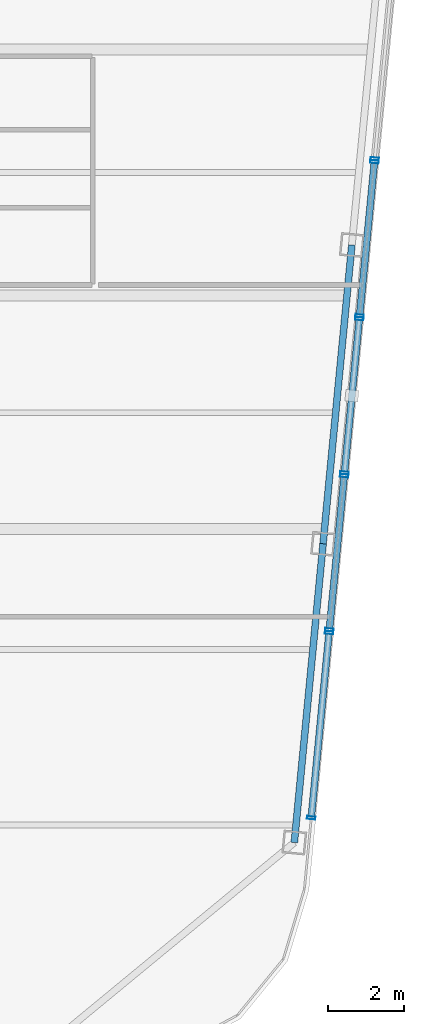
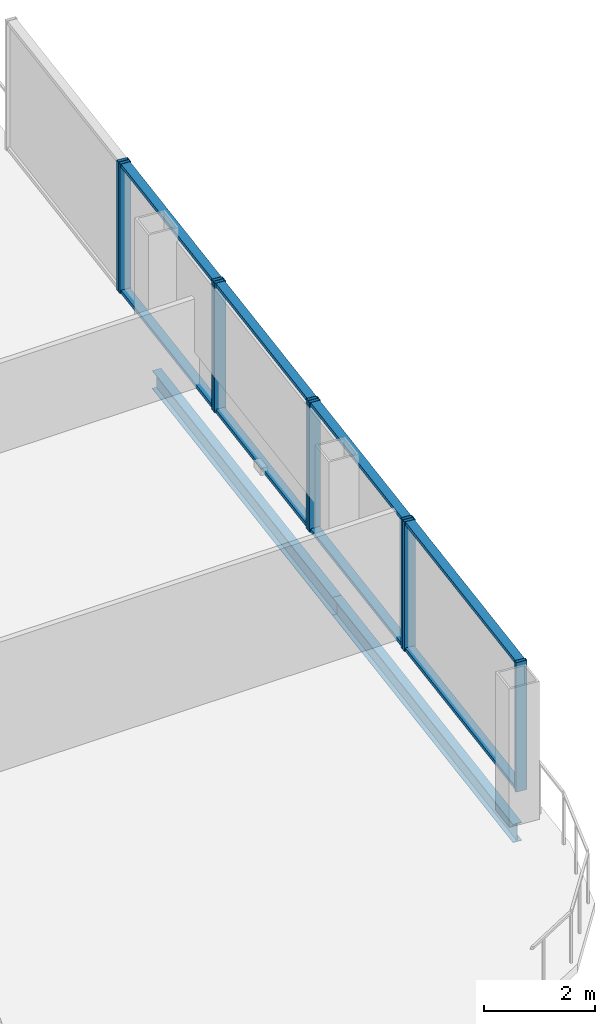
# One storey, part 11 of 22: 17 members, 2 beams, 5 elements without a shape of their own.
"""IFC4 building model written with IfcOpenShell, lengths in metres."""

from ifc_helpers import new_model, si_unit, direction, frame, origin, origin_2d, place, context, subcontext, project, spatial, hollow_rectangle, i_section, extrude, material, layer, layer_set, material_profile, profile_set, type_object, element, aggregate, save


model = new_model("IFC4")

# Units and contexts
model_context = context("Model", 3, precision=1e-05, world=origin(), true_north=direction((0.0, 1.0)))
body_context = subcontext(model_context, "Body", "Model", "MODEL_VIEW")
ifc_project = project(units=[si_unit("LENGTHUNIT", "METRE"), si_unit("AREAUNIT", "SQUARE_METRE"), si_unit("VOLUMEUNIT", "CUBIC_METRE"), si_unit("PLANEANGLEUNIT", "RADIAN"), si_unit("MASSUNIT", "GRAM", prefix="KILO")], contexts=[model_context])

# Site, building, storey
site_placement = place(None, origin())
site = spatial("IfcSite", under=ifc_project, at=site_placement, CompositionType="ELEMENT")
building_placement = place(site_placement, origin())
building = spatial("IfcBuilding", under=site, at=building_placement, Name="Qhalaya Broadcast Tower", CompositionType="ELEMENT")
storey_placement = place(building_placement, frame((0.0, 0.0, 252.0)))
storey = spatial("IfcBuildingStorey", under=building, at=storey_placement, Name="L74", CompositionType="ELEMENT", Elevation=252.0)

# Curtain wall, members
ifc_material_1 = material(Name="Fired Architectural Terracotta", Category="masonry")
ifc_layer_1 = layer(ifc_material_1, 0.219970703125, Name="Fired Architectural Terracotta")
ifc_layer_set_1 = layer_set([ifc_layer_1], Name="Fired Architectural Terracotta")
curtain_wall_type_1 = type_object("IfcCurtainWallType", Name="Block-Cap Unitised Terracotta Spandrel Wall CW-07", PredefinedType="NOTDEFINED", material=ifc_layer_set_1)
curtain_wall_1_placement = place(storey_placement, origin())
curtain_wall_1 = element("IfcCurtainWall", 1, at=curtain_wall_1_placement, inside=storey, type_object=curtain_wall_type_1, Name="L74 Unitised Curtain Wall L74-CW-E1", PredefinedType="NOTDEFINED")
ifc_material_2 = material(Name="Anodised Aluminium 6063-T6", Category="aluminium")
ifc_material_profile_1 = material_profile(ifc_material_2, hollow_rectangle(XDim=0.074951171875, YDim=0.219970703125, WallThickness=0.00390625, at=origin_2d()), Name="ALU-MUL 75x220x4")
ifc_profile_set_1 = profile_set([ifc_material_profile_1], Name="Anodised Aluminium 6063-T6")
member_type_1 = type_object("IfcMemberType", Name="Unitised Curtain-Wall Mullion M01", PredefinedType="MULLION", material=ifc_profile_set_1)
member_1_placement = place(storey_placement, frame((20.272705078125, -16.315185546875, 0.0), z_axis=(0.0, 0.0, 1.0), x_axis=(0.095840154905, 0.99539673734, 0.0)))
member_1 = element("IfcMember", 2, at=member_1_placement, type_object=member_type_1, Name="CW-07 mullion 1", PredefinedType="MULLION", context=body_context, shape_type="SweptSolid", body=[
    extrude(hollow_rectangle(XDim=0.074951171875, YDim=0.219970703125, WallThickness=0.00390625, at=origin_2d()), origin(), (0.0, 0.0, 1.0), 2.860107421875),
])
member_2_placement = place(storey_placement, frame((20.739990234375, -11.46044921875, 0.0), z_axis=(0.0, 0.0, 1.0), x_axis=(0.095840154905, 0.99539673734, 0.0)))
member_2 = element("IfcMember", 3, at=member_2_placement, type_object=member_type_1, Name="CW-07 mullion 2", PredefinedType="MULLION", context=body_context, shape_type="SweptSolid", body=[
    extrude(hollow_rectangle(XDim=0.074951171875, YDim=0.219970703125, WallThickness=0.00390625, at=origin_2d()), origin(), (0.0, 0.0, 1.0), 2.860107421875),
])

ifc_material_3 = material(Name="Solar-Control Low-E Triple Glazing", Category="glass")
ifc_layer_2 = layer(ifc_material_3, 0.219970703125, Name="Solar-Control Low-E Triple Glazing")
ifc_layer_set_2 = layer_set([ifc_layer_2], Name="Solar-Control Low-E Triple Glazing")
curtain_wall_type_2 = type_object("IfcCurtainWallType", Name="High-Altitude Upper-Shaft Triple Low-E Curtain Wall CW-04", PredefinedType="NOTDEFINED", material=ifc_layer_set_2)
curtain_wall_2_placement = place(storey_placement, origin())
curtain_wall_2 = element("IfcCurtainWall", 4, at=curtain_wall_2_placement, inside=storey, type_object=curtain_wall_type_2, Name="L74 Unitised Curtain Wall L74-CW-E2", PredefinedType="NOTDEFINED")
member_3_placement = place(storey_placement, frame((20.747314453125, -11.385986328125, 0.0), z_axis=(0.0, 0.0, 1.0), x_axis=(0.095859120729, 0.995394911064, 0.0)))
member_3 = element("IfcMember", 5, at=member_3_placement, type_object=member_type_1, Name="CW-04 mullion 1", PredefinedType="MULLION", context=body_context, shape_type="SweptSolid", body=[
    extrude(hollow_rectangle(XDim=0.074951171875, YDim=0.219970703125, WallThickness=0.00390625, at=origin_2d()), origin(), (0.0, 0.0, 1.0), 2.860107421875),
])
member_4_placement = place(storey_placement, frame((21.135986328125, -7.349609375, 0.0), z_axis=(0.0, 0.0, 1.0), x_axis=(0.095859120729, 0.995394911064, 0.0)))
member_4 = element("IfcMember", 6, at=member_4_placement, type_object=member_type_1, Name="CW-04 mullion 2", PredefinedType="MULLION", context=body_context, shape_type="SweptSolid", body=[
    extrude(hollow_rectangle(XDim=0.074951171875, YDim=0.219970703125, WallThickness=0.00390625, at=origin_2d()), origin(), (0.0, 0.0, 1.0), 2.860107421875),
])

curtain_wall_3_placement = place(storey_placement, origin())
curtain_wall_3 = element("IfcCurtainWall", 7, at=curtain_wall_3_placement, inside=storey, type_object=curtain_wall_type_1, Name="L74 Unitised Curtain Wall L74-CW-E3", PredefinedType="NOTDEFINED")
member_5_placement = place(storey_placement, frame((21.14306640625, -7.27490234375, 0.0), z_axis=(0.0, 0.0, 1.0), x_axis=(0.095842786142, 0.995396483992, 0.0)))
member_5 = element("IfcMember", 8, at=member_5_placement, type_object=member_type_1, Name="CW-07 mullion 1", PredefinedType="MULLION", context=body_context, shape_type="SweptSolid", body=[
    extrude(hollow_rectangle(XDim=0.074951171875, YDim=0.219970703125, WallThickness=0.00390625, at=origin_2d()), origin(), (0.0, 0.0, 1.0), 2.860107421875),
])
member_6_placement = place(storey_placement, frame((21.5322265625, -3.232666015625, 0.0), z_axis=(0.0, 0.0, 1.0), x_axis=(0.095842786142, 0.995396483992, 0.0)))
member_6 = element("IfcMember", 9, at=member_6_placement, type_object=member_type_1, Name="CW-07 mullion 2", PredefinedType="MULLION", context=body_context, shape_type="SweptSolid", body=[
    extrude(hollow_rectangle(XDim=0.074951171875, YDim=0.219970703125, WallThickness=0.00390625, at=origin_2d()), origin(), (0.0, 0.0, 1.0), 2.860107421875),
])

curtain_wall_4_placement = place(storey_placement, origin())
curtain_wall_4 = element("IfcCurtainWall", 10, at=curtain_wall_4_placement, inside=storey, type_object=curtain_wall_type_2, Name="L74 Unitised Curtain Wall L74-CW-E4", PredefinedType="NOTDEFINED")
member_7_placement = place(storey_placement, frame((21.53955078125, -3.157958984375, 0.0), z_axis=(0.0, 0.0, 1.0), x_axis=(0.095859120729, 0.995394911064, 0.0)))
member_7 = element("IfcMember", 11, at=member_7_placement, type_object=member_type_1, Name="CW-04 mullion 1", PredefinedType="MULLION", context=body_context, shape_type="SweptSolid", body=[
    extrude(hollow_rectangle(XDim=0.074951171875, YDim=0.219970703125, WallThickness=0.00390625, at=origin_2d()), origin(), (0.0, 0.0, 1.0), 2.860107421875),
])
member_8_placement = place(storey_placement, frame((21.92822265625, 0.87841796875, 0.0), z_axis=(0.0, 0.0, 1.0), x_axis=(0.095859120729, 0.995394911064, 0.0)))
member_8 = element("IfcMember", 12, at=member_8_placement, type_object=member_type_1, Name="CW-04 mullion 2", PredefinedType="MULLION", context=body_context, shape_type="SweptSolid", body=[
    extrude(hollow_rectangle(XDim=0.074951171875, YDim=0.219970703125, WallThickness=0.00390625, at=origin_2d()), origin(), (0.0, 0.0, 1.0), 2.860107421875),
])

# Curtain wall, member
curtain_wall_5_placement = place(storey_placement, origin())
curtain_wall_5 = element("IfcCurtainWall", 13, at=curtain_wall_5_placement, inside=storey, type_object=curtain_wall_type_1, Name="L74 Unitised Curtain Wall L74-CW-E5", PredefinedType="NOTDEFINED")
member_9_placement = place(storey_placement, frame((21.935302734375, 0.953125, 0.0), z_axis=(0.0, 0.0, 1.0), x_axis=(0.095840154905, 0.99539673734, 0.0)))
member_9 = element("IfcMember", 14, at=member_9_placement, type_object=member_type_1, Name="CW-07 mullion 1", PredefinedType="MULLION", context=body_context, shape_type="SweptSolid", body=[
    extrude(hollow_rectangle(XDim=0.074951171875, YDim=0.219970703125, WallThickness=0.00390625, at=origin_2d()), origin(), (0.0, 0.0, 1.0), 2.860107421875),
])
aggregate(curtain_wall_5, [member_9])

# Member
ifc_material_profile_2 = material_profile(ifc_material_2, hollow_rectangle(XDim=0.074951171875, YDim=0.179931640625, WallThickness=0.00390625, at=origin_2d()), Name="ALU-TRN 75x180x4")
ifc_profile_set_2 = profile_set([ifc_material_profile_2], Name="Anodised Aluminium 6063-T6")
member_type_2 = type_object("IfcMemberType", Name="Unitised Curtain-Wall Transom T01", PredefinedType="USERDEFINED", material=ifc_profile_set_2)
member_10_placement = place(storey_placement, frame((20.276123046875, -16.27783203125, 0.03759765625), z_axis=(0.095833498035, 0.995397378264, 0.0), x_axis=(0.0, 0.0, 1.0)))
member_10 = element("IfcMember", 15, at=member_10_placement, type_object=member_type_2, Name="CW-07 transom 1.1", ObjectType="TRANSOM", PredefinedType="USERDEFINED", context=body_context, shape_type="SweptSolid", body=[
    extrude(hollow_rectangle(XDim=0.074951171875, YDim=0.179931640625, WallThickness=0.00390625, at=origin_2d()), origin(), (0.0, 0.0, 1.0), 4.80224609375),
])

member_11_placement = place(storey_placement, frame((20.276123046875, -16.27783203125, 2.822509765625), z_axis=(0.095833498035, 0.995397378264, 0.0), x_axis=(0.0, 0.0, 1.0)))
member_11 = element("IfcMember", 16, at=member_11_placement, type_object=member_type_2, Name="CW-07 transom 1.2", ObjectType="TRANSOM", PredefinedType="USERDEFINED", context=body_context, shape_type="SweptSolid", body=[
    extrude(hollow_rectangle(XDim=0.074951171875, YDim=0.179931640625, WallThickness=0.00390625, at=origin_2d()), origin(), (0.0, 0.0, 1.0), 4.80224609375),
])

aggregate(curtain_wall_1, [member_1, member_2, member_10, member_11])

member_12_placement = place(storey_placement, frame((20.750732421875, -11.3486328125, 0.03759765625), z_axis=(0.095877212213, 0.995393168642, 0.0), x_axis=(0.0, 0.0, 1.0)))
member_12 = element("IfcMember", 17, at=member_12_placement, type_object=member_type_2, Name="CW-04 transom 1.1", ObjectType="TRANSOM", PredefinedType="USERDEFINED", context=body_context, shape_type="SweptSolid", body=[
    extrude(hollow_rectangle(XDim=0.074951171875, YDim=0.179931640625, WallThickness=0.00390625, at=origin_2d()), origin(), (0.0, 0.0, 1.0), 3.97998046875),
])

member_13_placement = place(storey_placement, frame((20.750732421875, -11.3486328125, 2.822509765625), z_axis=(0.095877212213, 0.995393168642, 0.0), x_axis=(0.0, 0.0, 1.0)))
member_13 = element("IfcMember", 18, at=member_13_placement, type_object=member_type_2, Name="CW-04 transom 1.2", ObjectType="TRANSOM", PredefinedType="USERDEFINED", context=body_context, shape_type="SweptSolid", body=[
    extrude(hollow_rectangle(XDim=0.074951171875, YDim=0.179931640625, WallThickness=0.00390625, at=origin_2d()), origin(), (0.0, 0.0, 1.0), 3.97998046875),
])

aggregate(curtain_wall_2, [member_3, member_4, member_12, member_13])

member_14_placement = place(storey_placement, frame((21.146728515625, -7.237548828125, 0.03759765625), z_axis=(0.095858295501, 0.995394990536, 0.0), x_axis=(0.0, 0.0, 1.0)))
member_14 = element("IfcMember", 19, at=member_14_placement, type_object=member_type_2, Name="CW-07 transom 1.1", ObjectType="TRANSOM", PredefinedType="USERDEFINED", context=body_context, shape_type="SweptSolid", body=[
    extrude(hollow_rectangle(XDim=0.074951171875, YDim=0.179931640625, WallThickness=0.00390625, at=origin_2d()), origin(), (0.0, 0.0, 1.0), 3.98583984375),
])

member_15_placement = place(storey_placement, frame((21.146728515625, -7.237548828125, 2.822509765625), z_axis=(0.095858295501, 0.995394990536, 0.0), x_axis=(0.0, 0.0, 1.0)))
member_15 = element("IfcMember", 20, at=member_15_placement, type_object=member_type_2, Name="CW-07 transom 1.2", ObjectType="TRANSOM", PredefinedType="USERDEFINED", context=body_context, shape_type="SweptSolid", body=[
    extrude(hollow_rectangle(XDim=0.074951171875, YDim=0.179931640625, WallThickness=0.00390625, at=origin_2d()), origin(), (0.0, 0.0, 1.0), 3.98583984375),
])

aggregate(curtain_wall_3, [member_5, member_6, member_14, member_15])

member_16_placement = place(storey_placement, frame((21.54296875, -3.12060546875, 0.03759765625), z_axis=(0.095877212213, 0.995393168642, 0.0), x_axis=(0.0, 0.0, 1.0)))
member_16 = element("IfcMember", 21, at=member_16_placement, type_object=member_type_2, Name="CW-04 transom 1.1", ObjectType="TRANSOM", PredefinedType="USERDEFINED", context=body_context, shape_type="SweptSolid", body=[
    extrude(hollow_rectangle(XDim=0.074951171875, YDim=0.179931640625, WallThickness=0.00390625, at=origin_2d()), origin(), (0.0, 0.0, 1.0), 3.97998046875),
])

member_17_placement = place(storey_placement, frame((21.54296875, -3.12060546875, 2.822509765625), z_axis=(0.095877212213, 0.995393168642, 0.0), x_axis=(0.0, 0.0, 1.0)))
member_17 = element("IfcMember", 22, at=member_17_placement, type_object=member_type_2, Name="CW-04 transom 1.2", ObjectType="TRANSOM", PredefinedType="USERDEFINED", context=body_context, shape_type="SweptSolid", body=[
    extrude(hollow_rectangle(XDim=0.074951171875, YDim=0.179931640625, WallThickness=0.00390625, at=origin_2d()), origin(), (0.0, 0.0, 1.0), 3.97998046875),
])

aggregate(curtain_wall_4, [member_7, member_8, member_16, member_17])

# Beams
ifc_material_4 = material(Name="Structural Steel ASTM A992 Grade 50", Category="steel")
ifc_material_profile_3 = material_profile(ifc_material_4, i_section(OverallWidth=0.177978515625, OverallDepth=0.406005859375, WebThickness=0.0078125, FlangeThickness=0.0126953125, at=origin_2d()), Name="W16X40")
ifc_profile_set_3 = profile_set([ifc_material_profile_3], Name="Structural Steel ASTM A992 Grade 50")
beam_type = type_object("IfcBeamType", Name="Upper Perimeter Spandrel Beam SP2", PredefinedType="SPANDREL", material=ifc_profile_set_3)
beam_1_placement = place(storey_placement, frame((19.82861328125, -16.962890625, -0.39306640625), z_axis=(0.095837184179, 0.995397023367, 0.0), x_axis=(-0.995397023367, 0.095837184179, 0.0)))
element("IfcBeam", 23, at=beam_1_placement, inside=storey, type_object=beam_type, Name="L74 SP2 L74-SPR-05", PredefinedType="SPANDREL", context=body_context, shape_type="SweptSolid", body=[
    extrude(i_section(OverallWidth=0.177978515625, OverallDepth=0.406005859375, WebThickness=0.0078125, FlangeThickness=0.0126953125, at=origin_2d()), origin(), (0.0, 0.0, 1.0), 7.866455078125),
])
beam_2_placement = place(storey_placement, frame((20.58251953125, -9.132568359375, -0.39306640625), z_axis=(0.095834223619, 0.995397308407, 0.0), x_axis=(-0.995397308407, 0.095834223619, 0.0)))
element("IfcBeam", 24, at=beam_2_placement, inside=storey, type_object=beam_type, Name="L74 SP2 L74-SPR-06", PredefinedType="SPANDREL", context=body_context, shape_type="SweptSolid", body=[
    extrude(i_section(OverallWidth=0.177978515625, OverallDepth=0.406005859375, WebThickness=0.0078125, FlangeThickness=0.0126953125, at=origin_2d()), origin(), (0.0, 0.0, 1.0), 7.86669921875),
])

save(model, "model.ifc")
